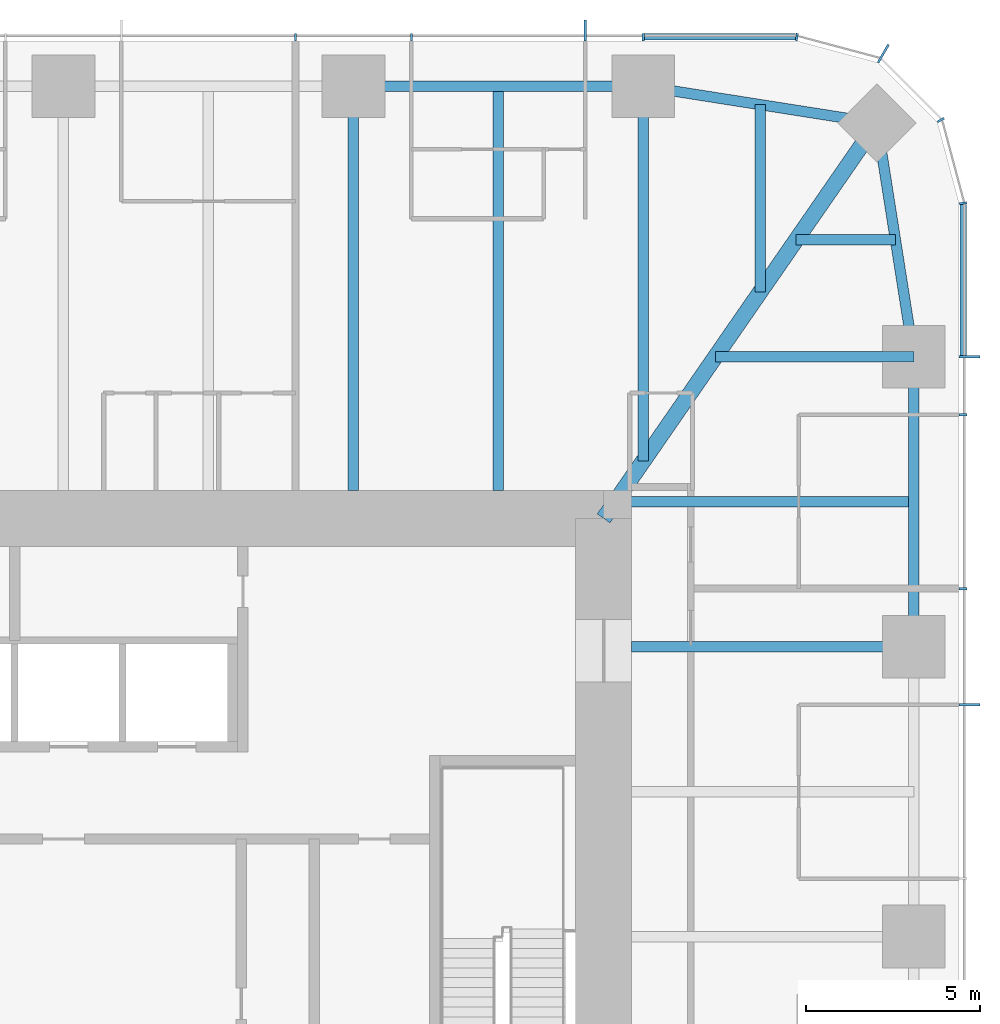
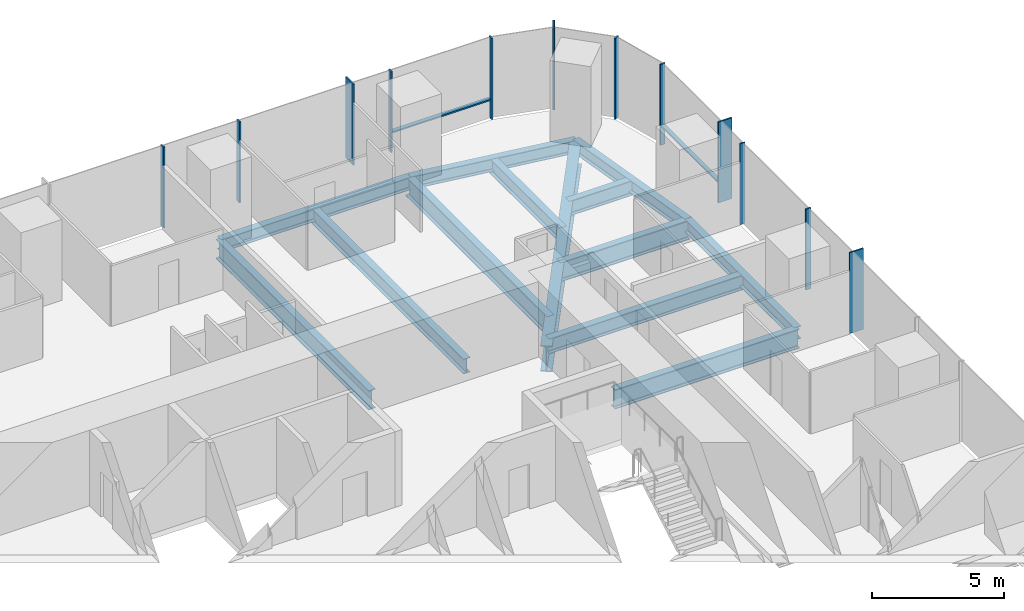
# One storey, part 6 of 13: 14 members, 13 beams, 3 elements without a shape of their own.
"""IFC4 building model written with IfcOpenShell, lengths in metres."""

from ifc_helpers import new_model, si_unit, direction, frame, origin, origin_2d, place, context, subcontext, project, spatial, rectangle, i_section, extrude, material, material_profile, profile_set, type_object, element, aggregate, save


model = new_model("IFC4")

# Units and contexts
model_context = context("Model", 3, precision=1e-05, world=origin(), true_north=direction((0.0, 1.0)))
body_context = subcontext(model_context, "Body", "Model", "MODEL_VIEW")
ifc_project = project(units=[si_unit("LENGTHUNIT", "METRE"), si_unit("AREAUNIT", "SQUARE_METRE"), si_unit("VOLUMEUNIT", "CUBIC_METRE"), si_unit("PLANEANGLEUNIT", "RADIAN"), si_unit("MASSUNIT", "GRAM", prefix="KILO")], contexts=[model_context])

# Site, building, storey
site_placement = place(None, origin())
site = spatial("IfcSite", under=ifc_project, at=site_placement, CompositionType="ELEMENT")
building_placement = place(site_placement, origin())
building = spatial("IfcBuilding", under=site, at=building_placement, Name="Khuree Lantern Residences", CompositionType="ELEMENT")
storey_placement = place(building_placement, frame((0.0, 0.0, 248.25)))
storey = spatial("IfcBuildingStorey", under=building, at=storey_placement, Name="L62", CompositionType="ELEMENT", Elevation=248.25)

# Beams
ifc_material_1 = material(Name="Steel S355", Category="steel")
ifc_material_profile_1 = material_profile(ifc_material_1, i_section(OverallWidth=0.300048828125, OverallDepth=0.68994140625, WebThickness=0.014404296875, FlangeThickness=0.027099609375, FilletRadius=0.027099609375, at=origin_2d()), Name="HE 700 A")
ifc_profile_set_1 = profile_set([ifc_material_profile_1], Name="Steel S355")
beam_type_1 = type_object("IfcBeamType", Name="B-34 SECONDARY BEAM HE 700 A", PredefinedType="BEAM", material=ifc_profile_set_1)
beam_1_placement = place(storey_placement, frame((12.47998046875, 24.39990234375, -0.594970703125), z_axis=(0.0, -1.0, 0.0), x_axis=(1.0, 0.0, 0.0)))
element("IfcBeam", 1, at=beam_1_placement, inside=storey, type_object=beam_type_1, Name="Secondary beam N4", PredefinedType="BEAM", context=body_context, shape_type="SweptSolid", body=[
    extrude(i_section(OverallWidth=0.300048828125, OverallDepth=0.68994140625, WebThickness=0.014404296875, FlangeThickness=0.027099609375, FilletRadius=0.027099609375, at=origin_2d()), origin(), (0.0, 0.0, 1.0), 11.599853515625),
])
beam_2_placement = place(storey_placement, frame((19.992919921875, 23.872802734375, -0.594970703125), z_axis=(0.0, -1.0, 0.0), x_axis=(1.0, 0.0, 0.0)))
element("IfcBeam", 2, at=beam_2_placement, inside=storey, type_object=beam_type_1, Name="Secondary beam N5", PredefinedType="BEAM", context=body_context, shape_type="SweptSolid", body=[
    extrude(i_section(OverallWidth=0.300048828125, OverallDepth=0.68994140625, WebThickness=0.014404296875, FlangeThickness=0.027099609375, FilletRadius=0.027099609375, at=origin_2d()), origin(), (0.0, 0.0, 1.0), 5.375732421875),
])
beam_3_placement = place(storey_placement, frame((23.872802734375, 19.992919921875, -0.594970703125), z_axis=(-1.0, 0.0, 0.0), x_axis=(0.0, -1.0, 0.0)))
element("IfcBeam", 3, at=beam_3_placement, inside=storey, type_object=beam_type_1, Name="Secondary beam E1", PredefinedType="BEAM", context=body_context, shape_type="SweptSolid", body=[
    extrude(i_section(OverallWidth=0.300048828125, OverallDepth=0.68994140625, WebThickness=0.014404296875, FlangeThickness=0.027099609375, FilletRadius=0.027099609375, at=origin_2d()), origin(), (0.0, 0.0, 1.0), 2.845703125),
])
beam_4_placement = place(storey_placement, frame((24.39990234375, 12.47998046875, -0.594970703125), z_axis=(-1.0, 0.0, 0.0), x_axis=(0.0, -1.0, 0.0)))
element("IfcBeam", 4, at=beam_4_placement, inside=storey, type_object=beam_type_1, Name="Secondary beam E2", PredefinedType="BEAM", context=body_context, shape_type="SweptSolid", body=[
    extrude(i_section(OverallWidth=0.300048828125, OverallDepth=0.68994140625, WebThickness=0.014404296875, FlangeThickness=0.027099609375, FilletRadius=0.027099609375, at=origin_2d()), origin(), (0.0, 0.0, 1.0), 8.56787109375),
])
ifc_material_profile_2 = material_profile(ifc_material_1, i_section(OverallWidth=0.300048828125, OverallDepth=0.590087890625, WebThickness=0.012939453125, FlangeThickness=0.02490234375, FilletRadius=0.027099609375, at=origin_2d()), Name="HE 600 A")
ifc_profile_set_2 = profile_set([ifc_material_profile_2], Name="Steel S355")
beam_type_2 = type_object("IfcBeamType", Name="E-34 SPANDREL BEAM HE 600 A", PredefinedType="SPANDREL", material=ifc_profile_set_2)
beam_5_placement = place(storey_placement, frame((8.320068359375, 24.39990234375, -0.544921875), z_axis=(1.0, 0.0, 0.0), x_axis=(0.0, 1.0, 0.0)))
element("IfcBeam", 5, at=beam_5_placement, inside=storey, type_object=beam_type_2, Name="Spandrel beam N4", PredefinedType="SPANDREL", context=body_context, shape_type="SweptSolid", body=[
    extrude(i_section(OverallWidth=0.300048828125, OverallDepth=0.590087890625, WebThickness=0.012939453125, FlangeThickness=0.02490234375, FilletRadius=0.027099609375, at=origin_2d()), origin(), (0.0, 0.0, 1.0), 8.31982421875),
])
for number, where, z_axis, x_axis, name in (
    (6, (16.639892578125, 24.39990234375, -0.544921875), (0.98786743189, -0.155299507442, 0.0), (0.155299507442, 0.98786743189, 0.0), "Spandrel beam N5"),
    (7, (23.345703125, 23.345703125, -0.544921875), (0.155299507442, -0.98786743189, 0.0), (0.98786743189, 0.155299507442, 0.0), "Spandrel beam E1"),
):
    element("IfcBeam", number, at=place(storey_placement, frame(where, z_axis=z_axis, x_axis=x_axis)), inside=storey, type_object=beam_type_2, Name=name, PredefinedType="SPANDREL", context=body_context, shape_type="SweptSolid", body=[
        extrude(i_section(OverallWidth=0.300048828125, OverallDepth=0.590087890625, WebThickness=0.012939453125, FlangeThickness=0.02490234375, FilletRadius=0.027099609375, at=origin_2d()), origin(), (0.0, 0.0, 1.0), 6.7880859375),
    ])
beam_6_placement = place(storey_placement, frame((24.39990234375, 16.639892578125, -0.544921875), z_axis=(0.0, -1.0, 0.0), x_axis=(1.0, 0.0, 0.0)))
element("IfcBeam", 8, at=beam_6_placement, inside=storey, type_object=beam_type_2, Name="Spandrel beam E2", PredefinedType="SPANDREL", context=body_context, shape_type="SweptSolid", body=[
    extrude(i_section(OverallWidth=0.300048828125, OverallDepth=0.590087890625, WebThickness=0.012939453125, FlangeThickness=0.02490234375, FilletRadius=0.027099609375, at=origin_2d()), origin(), (0.0, 0.0, 1.0), 8.31982421875),
])

# Curtain wall, members
ifc_material_2 = material(Name="Bronze anodised aluminium", Category="aluminium")
curtain_wall_type_1 = type_object("IfcCurtainWallType", Name="CW-T1 TOWER FACE CURTAIN WALL", PredefinedType="USERDEFINED", material=ifc_material_2)
curtain_wall_1_placement = place(storey_placement, origin())
curtain_wall_1 = element("IfcCurtainWall", 9, at=curtain_wall_1_placement, inside=storey, type_object=curtain_wall_type_1, Name="L62 EAST FACE CURTAIN WALL", ObjectType="Stick-built curtain wall", PredefinedType="USERDEFINED")
ifc_material_profile_3 = material_profile(ifc_material_2, rectangle(XDim=0.06494140625, YDim=0.60009765625, at=origin_2d()), Name="F1 65X600")
ifc_profile_set_3 = profile_set([ifc_material_profile_3], Name="Bronze anodised aluminium")
member_type_1 = type_object("IfcMemberType", Name="F1 BRONZE FIN MULLION TOWER 65X600", PredefinedType="MULLION", material=ifc_profile_set_3)
member_1_placement = place(storey_placement, frame((26.0, 6.656005859375, 0.0), z_axis=(0.0, 0.0, 1.0), x_axis=(0.0, 1.0, 0.0)))
member_1 = element("IfcMember", 10, at=member_1_placement, type_object=member_type_1, Name="L62 EAST FACE FIN MULLION 11", PredefinedType="MULLION", context=body_context, shape_type="SweptSolid", body=[
    extrude(rectangle(XDim=0.06494140625, YDim=0.60009765625, at=origin_2d()), origin(), (0.0, 0.0, 1.0), 3.75),
])
member_2_placement = place(storey_placement, frame((26.0, 16.639892578125, 0.0), z_axis=(0.0, 0.0, 1.0), x_axis=(0.0, 1.0, 0.0)))
member_2 = element("IfcMember", 11, at=member_2_placement, type_object=member_type_1, Name="L62 EAST FACE FIN MULLION 14", PredefinedType="MULLION", context=body_context, shape_type="SweptSolid", body=[
    extrude(rectangle(XDim=0.06494140625, YDim=0.60009765625, at=origin_2d()), origin(), (0.0, 0.0, 1.0), 3.75),
])

# Curtain wall, member
curtain_wall_type_2 = type_object("IfcCurtainWallType", Name="CW-T2 TOWER CORNER CURTAIN WALL", PredefinedType="USERDEFINED", material=ifc_material_2)
curtain_wall_2_placement = place(storey_placement, origin())
curtain_wall_2 = element("IfcCurtainWall", 12, at=curtain_wall_2_placement, inside=storey, type_object=curtain_wall_type_2, Name="L62 NORTH-EAST CORNER CURTAIN WALL", ObjectType="Faceted corner curtain wall", PredefinedType="USERDEFINED")
member_3_placement = place(storey_placement, frame((23.52490234375, 25.3369140625, 0.0), z_axis=(0.0, 0.0, 1.0), x_axis=(-0.866025409797, 0.499999989586, 0.0)))
member_3 = element("IfcMember", 13, at=member_3_placement, type_object=member_type_1, Name="L62 NORTH-EAST CORNER FIN MULLION 17", PredefinedType="MULLION", context=body_context, shape_type="SweptSolid", body=[
    extrude(rectangle(XDim=0.06494140625, YDim=0.60009765625, at=origin_2d()), origin(), (0.0, 0.0, 1.0), 3.75),
])

curtain_wall_3_placement = place(storey_placement, origin())
curtain_wall_3 = element("IfcCurtainWall", 14, at=curtain_wall_3_placement, inside=storey, type_object=curtain_wall_type_1, Name="L62 NORTH FACE CURTAIN WALL", ObjectType="Stick-built curtain wall", PredefinedType="USERDEFINED")
member_4_placement = place(storey_placement, frame((14.97607421875, 26.0, 0.0), z_axis=(0.0, 0.0, 1.0), x_axis=(-1.0, 0.0, 0.0)))
member_4 = element("IfcMember", 15, at=member_4_placement, type_object=member_type_1, Name="L62 NORTH FACE FIN MULLION 20", PredefinedType="MULLION", context=body_context, shape_type="SweptSolid", body=[
    extrude(rectangle(XDim=0.06494140625, YDim=0.60009765625, at=origin_2d()), origin(), (0.0, 0.0, 1.0), 3.75),
])

# Beams
ifc_material_profile_4 = material_profile(ifc_material_1, i_section(OverallWidth=0.300048828125, OverallDepth=0.89990234375, WebThickness=0.0185546875, FlangeThickness=0.034912109375, FilletRadius=0.030029296875, at=origin_2d()), Name="HE 900 B")
ifc_profile_set_4 = profile_set([ifc_material_profile_4], Name="Steel S355")
beam_type_3 = type_object("IfcBeamType", Name="G-34 GIRDER HE 900 B", PredefinedType="BEAM", material=ifc_profile_set_4)
beam_7_placement = place(storey_placement, frame((8.320068359375, 24.39990234375, -0.699951171875), z_axis=(0.0, -1.0, 0.0), x_axis=(1.0, 0.0, 0.0)))
element("IfcBeam", 16, at=beam_7_placement, inside=storey, type_object=beam_type_3, Name="Girder N4", PredefinedType="BEAM", context=body_context, shape_type="SweptSolid", body=[
    extrude(i_section(OverallWidth=0.300048828125, OverallDepth=0.89990234375, WebThickness=0.0185546875, FlangeThickness=0.034912109375, FilletRadius=0.030029296875, at=origin_2d()), origin(), (0.0, 0.0, 1.0), 11.599853515625),
])
beam_8_placement = place(storey_placement, frame((16.639892578125, 24.39990234375, -0.699951171875), z_axis=(0.0, -1.0, 0.0), x_axis=(1.0, 0.0, 0.0)))
element("IfcBeam", 17, at=beam_8_placement, inside=storey, type_object=beam_type_3, Name="Girder N5", PredefinedType="BEAM", context=body_context, shape_type="SweptSolid", body=[
    extrude(i_section(OverallWidth=0.300048828125, OverallDepth=0.89990234375, WebThickness=0.0185546875, FlangeThickness=0.034912109375, FilletRadius=0.030029296875, at=origin_2d()), origin(), (0.0, 0.0, 1.0), 10.751220703125),
])
beam_9_placement = place(storey_placement, frame((24.39990234375, 16.639892578125, -0.699951171875), z_axis=(-1.0, 0.0, 0.0), x_axis=(0.0, -1.0, 0.0)))
element("IfcBeam", 18, at=beam_9_placement, inside=storey, type_object=beam_type_3, Name="Girder E1", PredefinedType="BEAM", context=body_context, shape_type="SweptSolid", body=[
    extrude(i_section(OverallWidth=0.300048828125, OverallDepth=0.89990234375, WebThickness=0.0185546875, FlangeThickness=0.034912109375, FilletRadius=0.030029296875, at=origin_2d()), origin(), (0.0, 0.0, 1.0), 5.69140625),
])
beam_10_placement = place(storey_placement, frame((24.39990234375, 8.320068359375, -0.699951171875), z_axis=(-1.0, 0.0, 0.0), x_axis=(0.0, -1.0, 0.0)))
element("IfcBeam", 19, at=beam_10_placement, inside=storey, type_object=beam_type_3, Name="Girder E2", PredefinedType="BEAM", context=body_context, shape_type="SweptSolid", body=[
    extrude(i_section(OverallWidth=0.300048828125, OverallDepth=0.89990234375, WebThickness=0.0185546875, FlangeThickness=0.034912109375, FilletRadius=0.030029296875, at=origin_2d()), origin(), (0.0, 0.0, 1.0), 8.099853515625),
])
ifc_material_profile_5 = material_profile(ifc_material_1, i_section(OverallWidth=0.449951171875, OverallDepth=1.199951171875, WebThickness=0.02490234375, FlangeThickness=0.044921875, at=origin_2d()), Name="WELDED I 1200X450X25X45")
ifc_profile_set_5 = profile_set([ifc_material_profile_5], Name="Steel S355")
beam_type_4 = type_object("IfcBeamType", Name="GD-34 CORNER GIRDER WELDED I 1200X450X25X45", PredefinedType="BEAM", material=ifc_profile_set_5)
beam_11_placement = place(storey_placement, frame((23.345703125, 23.345703125, -0.85009765625), z_axis=(-0.56876813501, -0.822497907959, 0.0), x_axis=(0.822497907959, -0.56876813501, 0.0)))
element("IfcBeam", 20, at=beam_11_placement, inside=storey, type_object=beam_type_4, Name="Corner girder NE", PredefinedType="BEAM", context=body_context, shape_type="SweptSolid", body=[
    extrude(i_section(OverallWidth=0.449951171875, OverallDepth=1.199951171875, WebThickness=0.02490234375, FlangeThickness=0.044921875, at=origin_2d()), origin(), (0.0, 0.0, 1.0), 13.794189453125),
])

# Member
ifc_material_profile_6 = material_profile(ifc_material_2, rectangle(XDim=0.06494140625, YDim=0.219970703125, at=origin_2d()), Name="M1 65X220")
ifc_profile_set_6 = profile_set([ifc_material_profile_6], Name="Bronze anodised aluminium")
member_type_2 = type_object("IfcMemberType", Name="M1 BRONZE MULLION TOWER 65X220", PredefinedType="MULLION", material=ifc_profile_set_6)
member_5_placement = place(storey_placement, frame((25.81005859375, 9.98388671875, 0.0), z_axis=(0.0, 0.0, 1.0), x_axis=(0.0, 1.0, 0.0)))
member_5 = element("IfcMember", 21, at=member_5_placement, type_object=member_type_2, Name="L62 EAST FACE MULLION 12", PredefinedType="MULLION", context=body_context, shape_type="SweptSolid", body=[
    extrude(rectangle(XDim=0.06494140625, YDim=0.219970703125, at=origin_2d()), origin(), (0.0, 0.0, 1.0), 3.75),
])

member_6_placement = place(storey_placement, frame((25.81005859375, 14.97607421875, 0.0), z_axis=(0.0, 0.0, 1.0), x_axis=(0.0, 1.0, 0.0)))
member_6 = element("IfcMember", 22, at=member_6_placement, type_object=member_type_2, Name="L62 EAST FACE MULLION 13", PredefinedType="MULLION", context=body_context, shape_type="SweptSolid", body=[
    extrude(rectangle(XDim=0.06494140625, YDim=0.219970703125, at=origin_2d()), origin(), (0.0, 0.0, 1.0), 3.75),
])

member_7_placement = place(storey_placement, frame((25.811767578125, 21.044921875, 0.0), z_axis=(0.0, 0.0, 1.0), x_axis=(-0.130526180298, 0.991444862943, 0.0)))
member_7 = element("IfcMember", 23, at=member_7_placement, type_object=member_type_2, Name="L62 NORTH-EAST CORNER MULLION 15", PredefinedType="MULLION", context=body_context, shape_type="SweptSolid", body=[
    extrude(rectangle(XDim=0.06494140625, YDim=0.219970703125, at=origin_2d()), origin(), (0.0, 0.0, 1.0), 3.75),
])

member_8_placement = place(storey_placement, frame((25.17236328125, 23.429931640625, 0.0), z_axis=(0.0, 0.0, 1.0), x_axis=(-0.499999989586, 0.866025409797, 0.0)))
member_8 = element("IfcMember", 24, at=member_8_placement, type_object=member_type_2, Name="L62 NORTH-EAST CORNER MULLION 16", PredefinedType="MULLION", context=body_context, shape_type="SweptSolid", body=[
    extrude(rectangle(XDim=0.06494140625, YDim=0.219970703125, at=origin_2d()), origin(), (0.0, 0.0, 1.0), 3.75),
])

aggregate(curtain_wall_2, [member_7, member_8, member_3])

member_9_placement = place(storey_placement, frame((21.044921875, 25.811767578125, 0.0), z_axis=(0.0, 0.0, 1.0), x_axis=(-0.991444862943, 0.130526180298, 0.0)))
member_9 = element("IfcMember", 25, at=member_9_placement, type_object=member_type_2, Name="L62 NORTH FACE MULLION 18", PredefinedType="MULLION", context=body_context, shape_type="SweptSolid", body=[
    extrude(rectangle(XDim=0.06494140625, YDim=0.219970703125, at=origin_2d()), origin(), (0.0, 0.0, 1.0), 3.75),
])

member_10_placement = place(storey_placement, frame((16.639892578125, 25.81005859375, 0.0), z_axis=(0.0, 0.0, 1.0), x_axis=(-1.0, 0.0, 0.0)))
member_10 = element("IfcMember", 26, at=member_10_placement, type_object=member_type_2, Name="L62 NORTH FACE MULLION 19", PredefinedType="MULLION", context=body_context, shape_type="SweptSolid", body=[
    extrude(rectangle(XDim=0.06494140625, YDim=0.219970703125, at=origin_2d()), origin(), (0.0, 0.0, 1.0), 3.75),
])

member_11_placement = place(storey_placement, frame((9.98388671875, 25.81005859375, 0.0), z_axis=(0.0, 0.0, 1.0), x_axis=(-1.0, 0.0, 0.0)))
member_11 = element("IfcMember", 27, at=member_11_placement, type_object=member_type_2, Name="L62 NORTH FACE MULLION 21", PredefinedType="MULLION", context=body_context, shape_type="SweptSolid", body=[
    extrude(rectangle(XDim=0.06494140625, YDim=0.219970703125, at=origin_2d()), origin(), (0.0, 0.0, 1.0), 3.75),
])

member_12_placement = place(storey_placement, frame((6.656005859375, 25.81005859375, 0.0), z_axis=(0.0, 0.0, 1.0), x_axis=(-1.0, 0.0, 0.0)))
member_12 = element("IfcMember", 28, at=member_12_placement, type_object=member_type_2, Name="L62 NORTH FACE MULLION 22", PredefinedType="MULLION", context=body_context, shape_type="SweptSolid", body=[
    extrude(rectangle(XDim=0.06494140625, YDim=0.219970703125, at=origin_2d()), origin(), (0.0, 0.0, 1.0), 3.75),
])

ifc_material_profile_7 = material_profile(ifc_material_2, rectangle(XDim=0.179931640625, YDim=0.06494140625, at=origin_2d()), Name="T1 180X65")
ifc_profile_set_7 = profile_set([ifc_material_profile_7], Name="Bronze anodised aluminium")
member_type_3 = type_object("IfcMemberType", Name="TRANSOM T1 TOWER 180X65", PredefinedType="USERDEFINED", material=ifc_profile_set_7)
member_13_placement = place(storey_placement, frame((25.820068359375, 16.672607421875, 0.89990234375), z_axis=(0.0, 1.0, 0.0), x_axis=(-1.0, 0.0, 0.0)))
member_13 = element("IfcMember", 29, at=member_13_placement, type_object=member_type_3, Name="L62 EAST FACE TRANSOM 14.1", ObjectType="Transom", PredefinedType="USERDEFINED", context=body_context, shape_type="SweptSolid", body=[
    extrude(rectangle(XDim=0.179931640625, YDim=0.06494140625, at=origin_2d()), origin(), (0.0, 0.0, 1.0), 4.328857421875),
])

aggregate(curtain_wall_1, [member_1, member_5, member_6, member_2, member_13])

member_14_placement = place(storey_placement, frame((21.00146484375, 25.820068359375, 0.89990234375), z_axis=(-1.0, 0.0, 0.0), x_axis=(0.0, -1.0, 0.0)))
member_14 = element("IfcMember", 30, at=member_14_placement, type_object=member_type_3, Name="L62 NORTH FACE TRANSOM 18.1", ObjectType="Transom", PredefinedType="USERDEFINED", context=body_context, shape_type="SweptSolid", body=[
    extrude(rectangle(XDim=0.179931640625, YDim=0.06494140625, at=origin_2d()), origin(), (0.0, 0.0, 1.0), 4.328857421875),
])

aggregate(curtain_wall_3, [member_9, member_10, member_4, member_11, member_12, member_14])

save(model, "model.ifc")
